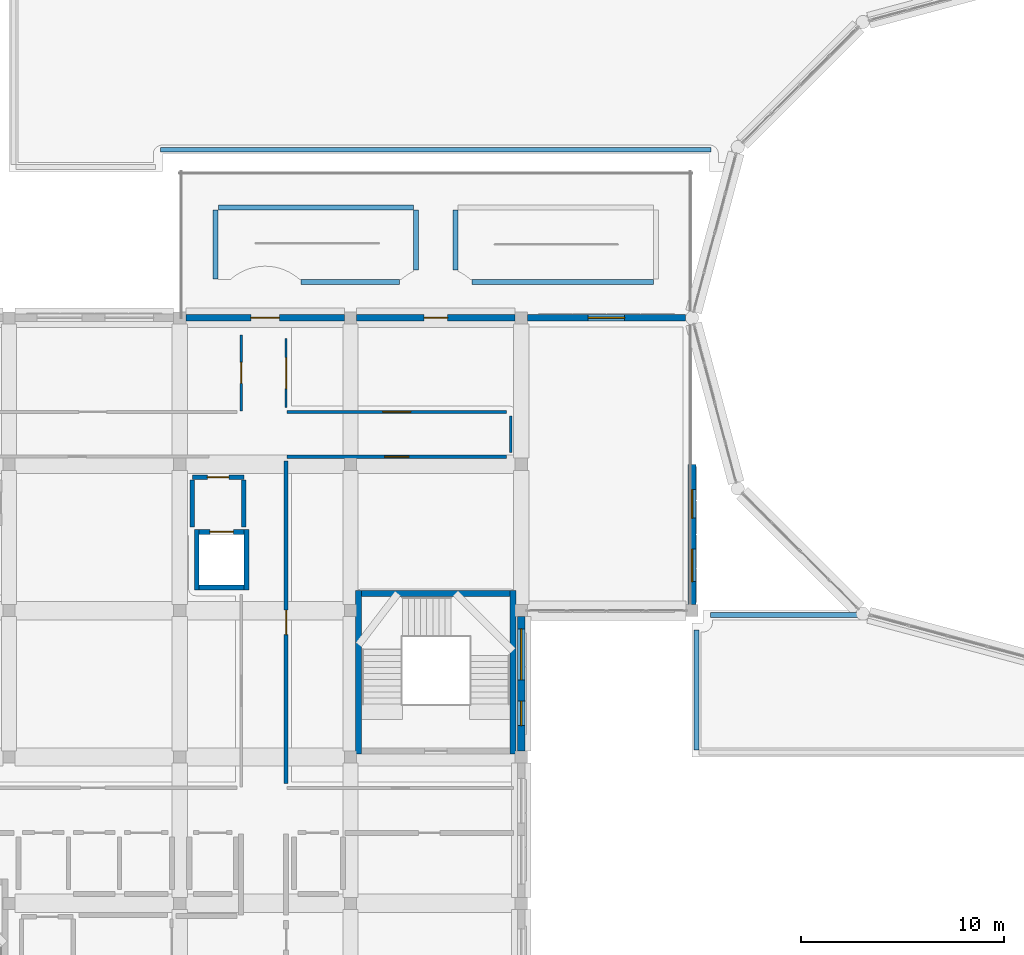
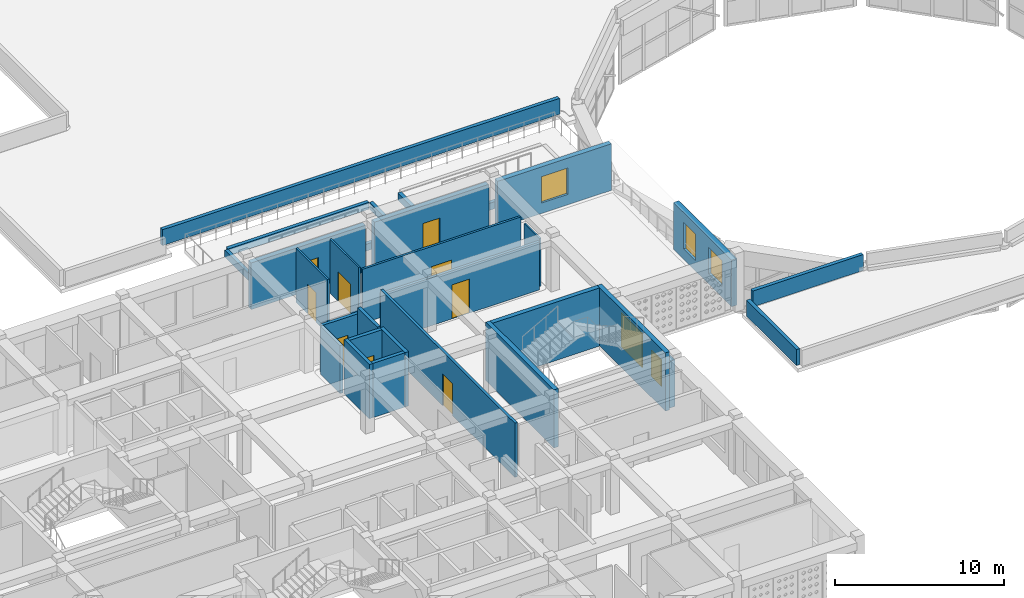
# One storey, part 32 of 48: 30 walls, 9 doors, 5 windows, 14 openings.
"""IFC4 building model written with IfcOpenShell, lengths in metres."""

from ifc_helpers import new_model, si_unit, derived_unit, direction, frame, frame_2d, origin, place, context, subcontext, project, spatial, rectangle, extrude, material, layer, layer_set, type_object, element, fill, save


model = new_model("IFC4")

# Units and contexts
model_context = context("Model", 3, precision=1e-05, world=origin(), true_north=direction((0.0, 1.0)))
body_context = subcontext(model_context, "Body", "Model", "MODEL_VIEW")
ifc_project = project(units=[si_unit("LENGTHUNIT", "METRE"), si_unit("AREAUNIT", "SQUARE_METRE"), si_unit("VOLUMEUNIT", "CUBIC_METRE"), si_unit("PLANEANGLEUNIT", "RADIAN"), si_unit("MASSUNIT", "GRAM", prefix="KILO"), derived_unit("THERMALTRANSMITTANCEUNIT", [(si_unit("POWERUNIT", "WATT"), 1), (si_unit("LENGTHUNIT", "METRE"), -2), (si_unit("THERMODYNAMICTEMPERATUREUNIT", "KELVIN"), -1)])], contexts=[model_context])

# Site, building, storey
site_placement = place(None, origin())
site = spatial("IfcSite", under=ifc_project, at=site_placement, CompositionType="ELEMENT")
building_placement = place(site_placement, origin())
building = spatial("IfcBuilding", under=site, at=building_placement, Name="Veybourne Emporium", CompositionType="ELEMENT")
storey_placement = place(building_placement, frame((0.0, 0.0, 27.89990234375)))
storey = spatial("IfcBuildingStorey", under=building, at=storey_placement, Name="L06", CompositionType="ELEMENT", Elevation=27.89990234375)

# Wall, openings, windows
ifc_material_1 = material(Name="Portland Limestone Ashlar", Category="masonry")
ifc_layer_1 = layer(ifc_material_1, 0.3798828125)
ifc_layer_set_1 = layer_set([ifc_layer_1], Name="Portland Limestone Ashlar")
wall_type_1 = type_object("IfcWallType", Name="ExtWall_EW-03", PredefinedType="SOLIDWALL", material=ifc_layer_set_1)
wall_1_placement = place(storey_placement, frame((50.39990234375, 35.699951171875, 0.0), z_axis=(0.0, 0.0, 1.0), x_axis=(0.0, -1.0, 0.0)))
wall_1 = element("IfcWall", 1, at=wall_1_placement, inside=storey, type_object=wall_type_1, Name="L06 Portland stone external wall 021", PredefinedType="SOLIDWALL", context=body_context, shape_type="SweptSolid", body=[
    extrude(rectangle(XDim=6.599853515625, YDim=0.3798828125, at=frame_2d((3.2998046875, 0.0))), origin(), (0.0, 0.0, 1.0), 3.360107421875),
])
opening_1_placement = place(wall_1_placement, frame((0.593017578125, 0.0, 0.75)))
opening_1 = element("IfcOpeningElement", 2, at=opening_1_placement, cuts=wall_1, Name="Opening W-56", PredefinedType="OPENING", context=body_context, shape_type="SweptSolid", body=[
    extrude(rectangle(XDim=2.510009765625, YDim=2.4599609375, at=frame_2d((1.2548828125, 1.22998046875))), frame((0.0, 0.2099609375, 0.0), z_axis=(0.0, -1.0, 0.0), x_axis=(1.0, 0.0, 0.0)), (0.0, 0.0, 1.0), 0.419921875),
])
opening_2_placement = place(wall_1_placement, frame((4.152099609375, 0.0, 0.75)))
opening_2 = element("IfcOpeningElement", 3, at=opening_2_placement, cuts=wall_1, Name="Opening W-01", PredefinedType="OPENING", context=body_context, shape_type="SweptSolid", body=[
    extrude(rectangle(XDim=1.199951171875, YDim=1.89990234375, at=frame_2d((0.60009765625, 0.949951171875))), frame((0.0, 0.2099609375, 0.0), z_axis=(0.0, -1.0, 0.0), x_axis=(1.0, 0.0, 0.0)), (0.0, 0.0, 1.0), 0.419921875),
])
ifc_material_2 = material(Name="Low-E Triple Glazing", Category="glass")
window_type_1 = type_object("IfcWindowType", Name="Win_W-01", PartitioningType="SINGLE_PANEL", PredefinedType="WINDOW", material=ifc_material_2)
window_1_placement = place(opening_2_placement, origin())
window_1 = element("IfcWindow", 4, at=window_1_placement, inside=storey, type_object=window_type_1, Name="L06 tripartite bronze casement window W-01 (21.2)", OverallHeight=1.89990234375, OverallWidth=1.199951171875, PartitioningType="SINGLE_PANEL", PredefinedType="WINDOW", context=body_context, shape_type="SweptSolid", body=[
    extrude(rectangle(XDim=1.199951171875, YDim=1.89990234375, at=frame_2d((0.60009765625, 0.949951171875))), frame((0.0, 0.030029296875, 0.0), z_axis=(0.0, -1.0, 0.0), x_axis=(1.0, 0.0, 0.0)), (0.0, 0.0, 1.0), 0.06005859375),
])
fill(opening_2, window_1)
window_type_2 = type_object("IfcWindowType", Name="Win_W-56", PartitioningType="TRIPLE_PANEL_VERTICAL", PredefinedType="WINDOW", material=ifc_material_2)
window_2_placement = place(opening_1_placement, origin())
window_2 = element("IfcWindow", 5, at=window_2_placement, inside=storey, type_object=window_type_2, Name="L06 tripartite bronze casement window W-56 (21.1)", OverallHeight=2.4599609375, OverallWidth=2.510009765625, PartitioningType="TRIPLE_PANEL_VERTICAL", PredefinedType="WINDOW", context=body_context, shape_type="SweptSolid", body=[
    extrude(rectangle(XDim=2.510009765625, YDim=2.4599609375, at=frame_2d((1.2548828125, 1.22998046875))), frame((0.0, 0.030029296875, 0.0), z_axis=(0.0, -1.0, 0.0), x_axis=(1.0, 0.0, 0.0)), (0.0, 0.0, 1.0), 0.06005859375),
])
fill(opening_1, window_2)

wall_2_placement = place(storey_placement, frame((58.800048828125, 43.179931640625, 0.0), z_axis=(0.0, 0.0, 1.0), x_axis=(0.0, -1.0, 0.0)))
wall_2 = element("IfcWall", 6, at=wall_2_placement, inside=storey, type_object=wall_type_1, Name="L06 Portland stone external wall 024", PredefinedType="SOLIDWALL", context=body_context, shape_type="SweptSolid", body=[
    extrude(rectangle(XDim=6.8798828125, YDim=0.3798828125, at=frame_2d((3.43994140625, 0.0))), origin(), (0.0, 0.0, 1.0), 3.360107421875),
])
opening_3_placement = place(wall_2_placement, frame((1.226318359375, 0.0, 0.75)))
opening_3 = element("IfcOpeningElement", 7, at=opening_3_placement, cuts=wall_2, Name="Opening W-02", PredefinedType="OPENING", context=body_context, shape_type="SweptSolid", body=[
    extrude(rectangle(XDim=1.39990234375, YDim=1.89990234375, at=frame_2d((0.699951171875, 0.949951171875))), frame((0.0, 0.2099609375, 0.0), z_axis=(0.0, -1.0, 0.0), x_axis=(1.0, 0.0, 0.0)), (0.0, 0.0, 1.0), 0.419921875),
])
opening_4_placement = place(wall_2_placement, frame((4.153564453125, 0.0, 0.75)))
opening_4 = element("IfcOpeningElement", 8, at=opening_4_placement, cuts=wall_2, Name="Opening W-03", PredefinedType="OPENING", context=body_context, shape_type="SweptSolid", body=[
    extrude(rectangle(XDim=1.60009765625, YDim=1.89990234375, at=frame_2d((0.800048828125, 0.949951171875))), frame((0.0, 0.2099609375, 0.0), z_axis=(0.0, -1.0, 0.0), x_axis=(1.0, 0.0, 0.0)), (0.0, 0.0, 1.0), 0.419921875),
])
window_type_3 = type_object("IfcWindowType", Name="Win_W-02", PartitioningType="DOUBLE_PANEL_VERTICAL", PredefinedType="WINDOW", material=ifc_material_2)
window_3_placement = place(opening_3_placement, origin())
window_3 = element("IfcWindow", 9, at=window_3_placement, inside=storey, type_object=window_type_3, Name="L06 tripartite bronze casement window W-02 (24.1)", OverallHeight=1.89990234375, OverallWidth=1.39990234375, PartitioningType="DOUBLE_PANEL_VERTICAL", PredefinedType="WINDOW", context=body_context, shape_type="SweptSolid", body=[
    extrude(rectangle(XDim=1.39990234375, YDim=1.89990234375, at=frame_2d((0.699951171875, 0.949951171875))), frame((0.0, 0.030029296875, 0.0), z_axis=(0.0, -1.0, 0.0), x_axis=(1.0, 0.0, 0.0)), (0.0, 0.0, 1.0), 0.06005859375),
])
fill(opening_3, window_3)
window_type_4 = type_object("IfcWindowType", Name="Win_W-03", PartitioningType="DOUBLE_PANEL_VERTICAL", PredefinedType="WINDOW", material=ifc_material_2)
window_4_placement = place(opening_4_placement, origin())
window_4 = element("IfcWindow", 10, at=window_4_placement, inside=storey, type_object=window_type_4, Name="L06 tripartite bronze casement window W-03 (24.2)", OverallHeight=1.89990234375, OverallWidth=1.60009765625, PartitioningType="DOUBLE_PANEL_VERTICAL", PredefinedType="WINDOW", context=body_context, shape_type="SweptSolid", body=[
    extrude(rectangle(XDim=1.60009765625, YDim=1.89990234375, at=frame_2d((0.800048828125, 0.949951171875))), frame((0.0, 0.030029296875, 0.0), z_axis=(0.0, -1.0, 0.0), x_axis=(1.0, 0.0, 0.0)), (0.0, 0.0, 1.0), 0.06005859375),
])
fill(opening_4, window_4)

# Wall, opening, door
ifc_layer_2 = layer(ifc_material_1, 0.330078125)
ifc_layer_set_2 = layer_set([ifc_layer_2], Name="Portland Limestone Ashlar")
wall_type_2 = type_object("IfcWallType", Name="ExtWall_EW-04", PredefinedType="SOLIDWALL", material=ifc_layer_set_2)
wall_3_placement = place(storey_placement, frame((33.89990234375, 50.39990234375, 0.0), z_axis=(0.0, 0.0, 1.0), x_axis=(1.0, 0.0, 0.0)))
wall_3 = element("IfcWall", 11, at=wall_3_placement, inside=storey, type_object=wall_type_2, Name="L06 terrace facade wall 016", PredefinedType="SOLIDWALL", context=body_context, shape_type="SweptSolid", body=[
    extrude(rectangle(XDim=7.800048828125, YDim=0.330078125, at=frame_2d((3.89990234375, 0.0))), origin(), (0.0, 0.0, 1.0), 3.360107421875),
])
opening_5_placement = place(wall_3_placement, frame((3.199951171875, 0.0, 0.0)))
opening_5 = element("IfcOpeningElement", 12, at=opening_5_placement, cuts=wall_3, Name="Opening TD-03", PredefinedType="OPENING", context=body_context, shape_type="SweptSolid", body=[
    extrude(rectangle(XDim=1.39990234375, YDim=2.14990234375, at=frame_2d((0.699951171875, 1.074951171875))), frame((0.0, 0.18505859375, 0.0), z_axis=(0.0, -1.0, 0.0), x_axis=(1.0, 0.0, 0.0)), (0.0, 0.0, 1.0), 0.3701171875),
])
ifc_material_3 = material(Name="Patinated Architectural Bronze", Category="bronze")
door_type_1 = type_object("IfcDoorType", Name="TerrDoor_TD-03", OperationType="NOTDEFINED", PredefinedType="DOOR", material=ifc_material_3)
door_1_placement = place(opening_5_placement, origin())
door_1 = element("IfcDoor", 13, at=door_1_placement, inside=storey, type_object=door_type_1, Name="L06 roof-garden terrace door 03", OperationType="SINGLE_SWING_RIGHT", OverallHeight=2.14990234375, OverallWidth=1.39990234375, PredefinedType="DOOR", context=body_context, shape_type="SweptSolid", body=[
    extrude(rectangle(XDim=1.39990234375, YDim=2.14990234375, at=frame_2d((0.699951171875, 1.074951171875))), frame((0.0, 0.02490234375, 0.0), z_axis=(0.0, -1.0, 0.0), x_axis=(1.0, 0.0, 0.0)), (0.0, 0.0, 1.0), 0.050048828125),
])
fill(opening_5, door_1)

wall_4_placement = place(storey_placement, frame((42.300048828125, 50.39990234375, 0.0), z_axis=(0.0, 0.0, 1.0), x_axis=(1.0, 0.0, 0.0)))
wall_4 = element("IfcWall", 14, at=wall_4_placement, inside=storey, type_object=wall_type_2, Name="L06 terrace facade wall 022", PredefinedType="SOLIDWALL", context=body_context, shape_type="SweptSolid", body=[
    extrude(rectangle(XDim=7.800048828125, YDim=0.330078125, at=frame_2d((3.89990234375, 0.0))), origin(), (0.0, 0.0, 1.0), 3.360107421875),
])
opening_6_placement = place(wall_4_placement, frame((3.324951171875, 0.0, 0.0)))
opening_6 = element("IfcOpeningElement", 15, at=opening_6_placement, cuts=wall_4, Name="Opening TD-04", PredefinedType="OPENING", context=body_context, shape_type="SweptSolid", body=[
    extrude(rectangle(XDim=1.14990234375, YDim=2.10009765625, at=frame_2d((0.574951171875, 1.050048828125))), frame((0.0, 0.18505859375, 0.0), z_axis=(0.0, -1.0, 0.0), x_axis=(1.0, 0.0, 0.0)), (0.0, 0.0, 1.0), 0.3701171875),
])
door_type_2 = type_object("IfcDoorType", Name="TerrDoor_TD-04", OperationType="NOTDEFINED", PredefinedType="DOOR", material=ifc_material_3)
door_2_placement = place(opening_6_placement, origin())
door_2 = element("IfcDoor", 16, at=door_2_placement, inside=storey, type_object=door_type_2, Name="L06 roof-garden terrace door 04", OperationType="SINGLE_SWING_LEFT", OverallHeight=2.10009765625, OverallWidth=1.14990234375, PredefinedType="DOOR", context=body_context, shape_type="SweptSolid", body=[
    extrude(rectangle(XDim=1.14990234375, YDim=2.10009765625, at=frame_2d((0.574951171875, 1.050048828125))), frame((0.0, 0.02490234375, 0.0), z_axis=(0.0, -1.0, 0.0), x_axis=(1.0, 0.0, 0.0)), (0.0, 0.0, 1.0), 0.050048828125),
])
fill(opening_6, door_2)

# Wall, opening, window
wall_5_placement = place(storey_placement, frame((50.699951171875, 50.39990234375, 0.0), z_axis=(0.0, 0.0, 1.0), x_axis=(1.0, 0.0, 0.0)))
wall_5 = element("IfcWall", 17, at=wall_5_placement, inside=storey, type_object=wall_type_2, Name="L06 terrace facade wall 026", PredefinedType="SOLIDWALL", context=body_context, shape_type="SweptSolid", body=[
    extrude(rectangle(XDim=7.775146484375, YDim=0.330078125, at=frame_2d((3.8876953125, 0.0))), origin(), (0.0, 0.0, 1.0), 3.360107421875),
])
opening_7_placement = place(wall_5_placement, frame((2.987548828125, 0.0, 0.75)))
opening_7 = element("IfcOpeningElement", 18, at=opening_7_placement, cuts=wall_5, Name="Opening W-04", PredefinedType="OPENING", context=body_context, shape_type="SweptSolid", body=[
    extrude(rectangle(XDim=1.800048828125, YDim=1.89990234375, at=frame_2d((0.89990234375, 0.949951171875))), frame((0.0, 0.18505859375, 0.0), z_axis=(0.0, -1.0, 0.0), x_axis=(1.0, 0.0, 0.0)), (0.0, 0.0, 1.0), 0.3701171875),
])
window_type_5 = type_object("IfcWindowType", Name="Win_W-04", PartitioningType="DOUBLE_PANEL_VERTICAL", PredefinedType="WINDOW", material=ifc_material_2)
window_5_placement = place(opening_7_placement, origin())
window_5 = element("IfcWindow", 19, at=window_5_placement, inside=storey, type_object=window_type_5, Name="L06 terrace window 026", OverallHeight=1.89990234375, OverallWidth=1.800048828125, PartitioningType="DOUBLE_PANEL_VERTICAL", PredefinedType="WINDOW", context=body_context, shape_type="SweptSolid", body=[
    extrude(rectangle(XDim=1.800048828125, YDim=1.89990234375, at=frame_2d((0.89990234375, 0.949951171875))), frame((0.0, 0.030029296875, 0.0), z_axis=(0.0, -1.0, 0.0), x_axis=(1.0, 0.0, 0.0)), (0.0, 0.0, 1.0), 0.06005859375),
])
fill(opening_7, window_5)

# Walls
ifc_material_4 = material(Name="Precast concrete C40/50", Category="concrete")
ifc_layer_3 = layer(ifc_material_4, 0.239990234375)
ifc_layer_set_3 = layer_set([ifc_layer_3], Name="Precast concrete C40/50")
wall_type_3 = type_object("IfcWallType", Name="ExtWall_PW-02", PredefinedType="PARAPET", material=ifc_layer_set_3)
wall_6_placement = place(storey_placement, frame((47.169921875, 52.746337890625, 0.0), z_axis=(0.0, 0.0, 1.0), x_axis=(0.0, 1.0, 0.0)))
element("IfcWall", 20, at=wall_6_placement, inside=storey, type_object=wall_type_3, Name="L06 planted roof-garden kerb 001", PredefinedType="PARAPET", context=body_context, shape_type="SweptSolid", body=[
    extrude(rectangle(XDim=2.95361328125, YDim=0.239990234375, at=frame_2d((1.476806640625, 0.0))), origin(), (0.0, 0.0, 1.0), 0.5),
])
wall_7_placement = place(storey_placement, frame((56.89990234375, 52.169921875, 0.0), z_axis=(0.0, 0.0, 1.0), x_axis=(-1.0, 0.0, 0.0)))
element("IfcWall", 21, at=wall_7_placement, inside=storey, type_object=wall_type_3, Name="L06 planted roof-garden kerb 004", PredefinedType="PARAPET", context=body_context, shape_type="SweptSolid", body=[
    extrude(rectangle(XDim=8.921875, YDim=0.239990234375, at=frame_2d((4.4609375, 0.0))), origin(), (0.0, 0.0, 1.0), 0.5),
])
wall_8_placement = place(storey_placement, frame((35.3701171875, 52.300048828125, 0.0), z_axis=(0.0, 0.0, 1.0), x_axis=(0.0, 1.0, 0.0)))
element("IfcWall", 22, at=wall_8_placement, inside=storey, type_object=wall_type_3, Name="L06 planted roof-garden kerb 005", PredefinedType="PARAPET", context=body_context, shape_type="SweptSolid", body=[
    extrude(rectangle(XDim=3.39990234375, YDim=0.239990234375, at=frame_2d((1.699951171875, 0.0))), origin(), (0.0, 0.0, 1.0), 0.5),
])
wall_9_placement = place(storey_placement, frame((35.5, 55.830078125, 0.0), z_axis=(0.0, 0.0, 1.0), x_axis=(1.0, 0.0, 0.0)))
element("IfcWall", 23, at=wall_9_placement, inside=storey, type_object=wall_type_3, Name="L06 planted roof-garden kerb 006", PredefinedType="PARAPET", context=body_context, shape_type="SweptSolid", body=[
    extrude(rectangle(XDim=9.60009765625, YDim=0.239990234375, at=frame_2d((4.800048828125, 0.0))), origin(), (0.0, 0.0, 1.0), 0.5),
])
wall_10_placement = place(storey_placement, frame((45.22998046875, 55.699951171875, 0.0), z_axis=(0.0, 0.0, 1.0), x_axis=(0.0, -1.0, 0.0)))
element("IfcWall", 24, at=wall_10_placement, inside=storey, type_object=wall_type_3, Name="L06 planted roof-garden kerb 007", PredefinedType="PARAPET", context=body_context, shape_type="SweptSolid", body=[
    extrude(rectangle(XDim=2.95361328125, YDim=0.239990234375, at=frame_2d((1.476806640625, 0.0))), origin(), (0.0, 0.0, 1.0), 0.5),
])
wall_11_placement = place(storey_placement, frame((44.421875, 52.169921875, 0.0), z_axis=(0.0, 0.0, 1.0), x_axis=(-1.0, 0.0, 0.0)))
element("IfcWall", 25, at=wall_11_placement, inside=storey, type_object=wall_type_3, Name="L06 planted roof-garden kerb 008", PredefinedType="PARAPET", context=body_context, shape_type="SweptSolid", body=[
    extrude(rectangle(XDim=4.84375, YDim=0.239990234375, at=frame_2d((2.421875, 0.0))), origin(), (0.0, 0.0, 1.0), 0.5),
])
wall_12_placement = place(storey_placement, frame((59.739990234375, 58.669921875, 0.0), z_axis=(0.0, 0.0, 1.0), x_axis=(-1.0, 0.0, 0.0)))
element("IfcWall", 26, at=wall_12_placement, inside=storey, type_object=wall_type_3, Name="L06 roof parapet wall 012", PredefinedType="PARAPET", context=body_context, shape_type="SweptSolid", body=[
    extrude(rectangle(XDim=27.080078125, YDim=0.239990234375, at=frame_2d((13.5400390625, 0.0))), origin(), (0.0, 0.0, 1.0), 1.150146484375),
])
wall_13_placement = place(storey_placement, frame((59.02001953125, 29.14990234375, 0.0), z_axis=(0.0, 0.0, 1.0), x_axis=(0.0, 1.0, 0.0)))
element("IfcWall", 27, at=wall_13_placement, inside=storey, type_object=wall_type_3, Name="L06 roof parapet wall 022", PredefinedType="PARAPET", context=body_context, shape_type="SweptSolid", body=[
    extrude(rectangle(XDim=5.900146484375, YDim=0.239990234375, at=frame_2d((2.9501953125, 0.0))), origin(), (0.0, 0.0, 1.0), 1.150146484375),
])
wall_14_placement = place(storey_placement, frame((59.699951171875, 35.780029296875, 0.0), z_axis=(0.0, 0.0, 1.0), x_axis=(1.0, 0.0, 0.0)))
element("IfcWall", 28, at=wall_14_placement, inside=storey, type_object=wall_type_3, Name="L06 roof parapet wall 023", PredefinedType="PARAPET", context=body_context, shape_type="SweptSolid", body=[
    extrude(rectangle(XDim=7.530517578125, YDim=0.239990234375, at=frame_2d((3.76513671875, 0.0))), origin(), (0.0, 0.0, 1.0), 1.150146484375),
])
ifc_material_5 = material(Name="Concrete C40/50", Category="concrete")
ifc_layer_4 = layer(ifc_material_5, 0.300048828125)
ifc_layer_set_4 = layer_set([ifc_layer_4], Name="Concrete C40/50")
wall_type_4 = type_object("IfcWallType", Name="IntWall_CW-03", PredefinedType="SHEAR", material=ifc_layer_set_4)
wall_15_placement = place(storey_placement, frame((42.550048828125, 36.85009765625, 0.0), z_axis=(0.0, 0.0, 1.0), x_axis=(1.0, 0.0, 0.0)))
element("IfcWall", 29, at=wall_15_placement, inside=storey, type_object=wall_type_4, Name="Core stair ST-05 north shear wall (L06)", PredefinedType="SHEAR", context=body_context, shape_type="SweptSolid", body=[
    extrude(rectangle(XDim=7.300048828125, YDim=0.300048828125, at=frame_2d((3.64990234375, 0.0))), origin(), (0.0, 0.0, 1.0), 4.2001953125),
])
for number, where, z_axis, x_axis, name in (
    (30, (42.39990234375, 37.0, 0.0), (0.0, 0.0, 1.0), (0.0, -1.0, 0.0), "Core stair ST-05 west shear wall (L06)"),
    (31, (50.0, 28.949951171875, 0.0), (0.0, 0.0, 1.0), (0.0, 1.0, 0.0), "Core stair ST-05 east shear wall (L06)"),
):
    element("IfcWall", number, at=place(storey_placement, frame(where, z_axis=z_axis, x_axis=x_axis)), inside=storey, type_object=wall_type_4, Name=name, PredefinedType="SHEAR", context=body_context, shape_type="SweptSolid", body=[
        extrude(rectangle(XDim=8.050048828125, YDim=0.300048828125, at=frame_2d((4.02490234375, 0.0))), origin(), (0.0, 0.0, 1.0), 4.2001953125),
    ])

# Wall, opening, door
ifc_layer_5 = layer(ifc_material_5, 0.239990234375)
ifc_layer_set_5 = layer_set([ifc_layer_5], Name="Concrete C40/50")
wall_type_5 = type_object("IfcWallType", Name="IntWall_CW-04", PredefinedType="SHEAR", material=ifc_layer_set_5)
wall_16_placement = place(storey_placement, frame((36.760009765625, 39.8701171875, 0.0), z_axis=(0.0, 0.0, 1.0), x_axis=(-1.0, 0.0, 0.0)))
wall_16 = element("IfcWall", 32, at=wall_16_placement, inside=storey, type_object=wall_type_5, Name="Lift core C3 north shaft wall (L06)", PredefinedType="SHEAR", context=body_context, shape_type="SweptSolid", body=[
    extrude(rectangle(XDim=2.199951171875, YDim=0.239990234375, at=frame_2d((1.10009765625, 0.0))), origin(), (0.0, 0.0, 1.0), 3.91015625),
])
opening_8_placement = place(wall_16_placement, frame((0.52490234375, 0.0, 0.0)))
opening_8 = element("IfcOpeningElement", 33, at=opening_8_placement, cuts=wall_16, Name="Opening LD-02", PredefinedType="OPENING", context=body_context, shape_type="SweptSolid", body=[
    extrude(rectangle(XDim=1.14990234375, YDim=2.25, at=frame_2d((0.574951171875, 1.125))), frame((0.0, 0.14013671875, 0.0), z_axis=(0.0, -1.0, 0.0), x_axis=(1.0, 0.0, 0.0)), (0.0, 0.0, 1.0), 0.280029296875),
])
door_type_3 = type_object("IfcDoorType", Name="FireDoor_LD-02", OperationType="SLIDING_TO_LEFT", PredefinedType="DOOR", material=ifc_material_3)
door_3_placement = place(opening_8_placement, origin())
door_3 = element("IfcDoor", 34, at=door_3_placement, inside=storey, type_object=door_type_3, Name="Lift FFL-03 sliding landing door (L06)", OperationType="SLIDING_TO_LEFT", OverallHeight=2.25, OverallWidth=1.14990234375, PredefinedType="DOOR", context=body_context, shape_type="SweptSolid", body=[
    extrude(rectangle(XDim=1.14990234375, YDim=2.25, at=frame_2d((0.574951171875, 1.125))), frame((0.0, 0.02490234375, 0.0), z_axis=(0.0, -1.0, 0.0), x_axis=(1.0, 0.0, 0.0)), (0.0, 0.0, 1.0), 0.050048828125),
])
fill(opening_8, door_3)

# Walls
wall_17_placement = place(storey_placement, frame((34.56005859375, 37.1298828125, 0.0), z_axis=(0.0, 0.0, 1.0), x_axis=(1.0, 0.0, 0.0)))
element("IfcWall", 35, at=wall_17_placement, inside=storey, type_object=wall_type_5, Name="Lift core C3 south shaft wall (L06)", PredefinedType="SHEAR", context=body_context, shape_type="SweptSolid", body=[
    extrude(rectangle(XDim=2.199951171875, YDim=0.239990234375, at=frame_2d((1.10009765625, 0.0))), origin(), (0.0, 0.0, 1.0), 3.91015625),
])
for number, where, z_axis, x_axis, name in (
    (36, (34.43994140625, 39.989990234375, 0.0), (0.0, 0.0, 1.0), (0.0, -1.0, 0.0), "Lift core C3 west shaft wall (L06)"),
    (37, (36.8798828125, 37.010009765625, 0.0), (0.0, 0.0, 1.0), (0.0, 1.0, 0.0), "Lift core C3 east shaft wall (L06)"),
):
    element("IfcWall", number, at=place(storey_placement, frame(where, z_axis=z_axis, x_axis=x_axis)), inside=storey, type_object=wall_type_5, Name=name, PredefinedType="SHEAR", context=body_context, shape_type="SweptSolid", body=[
        extrude(rectangle(XDim=2.97998046875, YDim=0.239990234375, at=frame_2d((1.489990234375, 0.0))), origin(), (0.0, 0.0, 1.0), 3.91015625),
    ])

# Wall, opening, door
ifc_material_6 = material(Name="Concrete C32/40", Category="concrete")
ifc_layer_6 = layer(ifc_material_6, 0.219970703125)
ifc_layer_set_6 = layer_set([ifc_layer_6], Name="Concrete C32/40")
wall_type_6 = type_object("IfcWallType", Name="IntWall_FW-02", PredefinedType="SOLIDWALL", material=ifc_layer_set_6)
wall_18_placement = place(storey_placement, frame((34.219970703125, 42.550048828125, 0.0), z_axis=(0.0, 0.0, 1.0), x_axis=(1.0, 0.0, 0.0)))
wall_18 = element("IfcWall", 38, at=wall_18_placement, inside=storey, type_object=wall_type_6, Name="Firefighting lobby C3 fire wall N (L06)", PredefinedType="SOLIDWALL", context=body_context, shape_type="SweptSolid", body=[
    extrude(rectangle(XDim=2.5400390625, YDim=0.219970703125, at=frame_2d((1.27001953125, 0.0))), origin(), (0.0, 0.0, 1.0), 3.460205078125),
])
opening_9_placement = place(wall_18_placement, frame((0.7451171875, 0.0, 0.0)))
opening_9 = element("IfcOpeningElement", 39, at=opening_9_placement, cuts=wall_18, Name="Opening FD-02", PredefinedType="OPENING", context=body_context, shape_type="SweptSolid", body=[
    extrude(rectangle(XDim=1.050048828125, YDim=2.14990234375, at=frame_2d((0.52490234375, 1.074951171875))), frame((0.0, 0.1298828125, 0.0), z_axis=(0.0, -1.0, 0.0), x_axis=(1.0, 0.0, 0.0)), (0.0, 0.0, 1.0), 0.260009765625),
])
door_type_4 = type_object("IfcDoorType", Name="FireDoor_FD-02", OperationType="NOTDEFINED", PredefinedType="DOOR", material=ifc_material_3)
door_4_placement = place(opening_9_placement, origin())
door_4 = element("IfcDoor", 40, at=door_4_placement, inside=storey, type_object=door_type_4, Name="Firefighting lobby C3 FD60S door N (L06)", OperationType="SINGLE_SWING_LEFT", OverallHeight=2.14990234375, OverallWidth=1.050048828125, PredefinedType="DOOR", context=body_context, shape_type="SweptSolid", body=[
    extrude(rectangle(XDim=1.050048828125, YDim=2.14990234375, at=frame_2d((0.52490234375, 1.074951171875))), frame((0.0, 0.02490234375, 0.0), z_axis=(0.0, -1.0, 0.0), x_axis=(1.0, 0.0, 0.0)), (0.0, 0.0, 1.0), 0.050048828125),
])
fill(opening_9, door_4)

# Walls
wall_19_placement = place(storey_placement, frame((34.219970703125, 40.110107421875, 0.0), z_axis=(0.0, 0.0, 1.0), x_axis=(0.0, 1.0, 0.0)))
element("IfcWall", 41, at=wall_19_placement, inside=storey, type_object=wall_type_6, Name="Firefighting lobby C3 fire wall W (L06)", PredefinedType="SOLIDWALL", context=body_context, shape_type="SweptSolid", body=[
    extrude(rectangle(XDim=2.31982421875, YDim=0.219970703125, at=frame_2d((1.159912109375, 0.0))), origin(), (0.0, 0.0, 1.0), 3.460205078125),
])
wall_20_placement = place(storey_placement, frame((36.760009765625, 40.110107421875, 0.0), z_axis=(0.0, 0.0, 1.0), x_axis=(0.0, 1.0, 0.0)))
element("IfcWall", 42, at=wall_20_placement, inside=storey, type_object=wall_type_6, Name="Firefighting lobby C3 fire wall E (L06)", PredefinedType="SOLIDWALL", context=body_context, shape_type="SweptSolid", body=[
    extrude(rectangle(XDim=2.31982421875, YDim=0.219970703125, at=frame_2d((1.159912109375, 0.0))), origin(), (0.0, 0.0, 1.0), 3.91015625),
])

# Wall, opening, door
ifc_material_7 = material(Name="Gypsum Acoustic Board", Category="gypsum")
ifc_layer_7 = layer(ifc_material_7, 0.179931640625)
ifc_layer_set_7 = layer_set([ifc_layer_7], Name="Gypsum Acoustic Board")
wall_type_7 = type_object("IfcWallType", Name="IntWall_IW-01", PredefinedType="PARTITIONING", material=ifc_layer_set_7)
wall_21_placement = place(storey_placement, frame((38.830078125, 27.489990234375, 0.0), z_axis=(0.0, 0.0, 1.0), x_axis=(0.0, 1.0, 0.0)))
wall_21 = element("IfcWall", 43, at=wall_21_placement, inside=storey, type_object=wall_type_7, Name="L06 interior partition IW-01 #005", PredefinedType="PARTITIONING", context=body_context, shape_type="SweptSolid", body=[
    extrude(rectangle(XDim=15.8701171875, YDim=0.179931640625, at=frame_2d((7.93505859375, 0.0))), origin(), (0.0, 0.0, 1.0), 3.91015625),
])
opening_10_placement = place(wall_21_placement, frame((7.3349609375, 0.0, 0.0)))
opening_10 = element("IfcOpeningElement", 44, at=opening_10_placement, cuts=wall_21, Name="Opening D-21", PredefinedType="OPENING", context=body_context, shape_type="SweptSolid", body=[
    extrude(rectangle(XDim=1.199951171875, YDim=2.2900390625, at=frame_2d((0.60009765625, 1.14501953125))), frame((0.0, 0.10986328125, 0.0), z_axis=(0.0, -1.0, 0.0), x_axis=(1.0, 0.0, 0.0)), (0.0, 0.0, 1.0), 0.219970703125),
])
ifc_material_8 = material(Name="European Oak Veneer and Bronze", Category="wood")
door_type_5 = type_object("IfcDoorType", Name="IntDoor_D-21", OperationType="NOTDEFINED", PredefinedType="DOOR", material=ifc_material_8)
door_5_placement = place(opening_10_placement, origin())
door_5 = element("IfcDoor", 45, at=door_5_placement, inside=storey, type_object=door_type_5, Name="L06 interior door D-21 (PART-L06-005)", OperationType="SINGLE_SWING_LEFT", OverallHeight=2.2900390625, OverallWidth=1.199951171875, PredefinedType="DOOR", context=body_context, shape_type="SweptSolid", body=[
    extrude(rectangle(XDim=1.199951171875, YDim=2.2900390625, at=frame_2d((0.60009765625, 1.14501953125))), frame((0.0, 0.02490234375, 0.0), z_axis=(0.0, -1.0, 0.0), x_axis=(1.0, 0.0, 0.0)), (0.0, 0.0, 1.0), 0.050048828125),
])
fill(opening_10, door_5)

wall_22_placement = place(storey_placement, frame((38.8798828125, 43.570068359375, 0.0), z_axis=(0.0, 0.0, 1.0), x_axis=(1.0, 0.0, 0.0)))
wall_22 = element("IfcWall", 46, at=wall_22_placement, inside=storey, type_object=wall_type_7, Name="L06 interior partition IW-01 #017", PredefinedType="PARTITIONING", context=body_context, shape_type="SweptSolid", body=[
    extrude(rectangle(XDim=10.7900390625, YDim=0.179931640625, at=frame_2d((5.39501953125, 0.0))), origin(), (0.0, 0.0, 1.0), 3.460205078125),
])
opening_11_placement = place(wall_22_placement, frame((4.794921875, 0.0, 0.0)))
opening_11 = element("IfcOpeningElement", 47, at=opening_11_placement, cuts=wall_22, Name="Opening D-33", PredefinedType="OPENING", context=body_context, shape_type="SweptSolid", body=[
    extrude(rectangle(XDim=1.199951171875, YDim=2.449951171875, at=frame_2d((0.60009765625, 1.22509765625))), frame((0.0, 0.10986328125, 0.0), z_axis=(0.0, -1.0, 0.0), x_axis=(1.0, 0.0, 0.0)), (0.0, 0.0, 1.0), 0.219970703125),
])
door_type_6 = type_object("IfcDoorType", Name="IntDoor_D-33", OperationType="NOTDEFINED", PredefinedType="DOOR", material=ifc_material_8)
door_6_placement = place(opening_11_placement, origin())
door_6 = element("IfcDoor", 48, at=door_6_placement, inside=storey, type_object=door_type_6, Name="L06 interior door D-33 (PART-L06-017)", OperationType="SINGLE_SWING_RIGHT", OverallHeight=2.449951171875, OverallWidth=1.199951171875, PredefinedType="DOOR", context=body_context, shape_type="SweptSolid", body=[
    extrude(rectangle(XDim=1.199951171875, YDim=2.449951171875, at=frame_2d((0.60009765625, 1.22509765625))), frame((0.0, 0.02490234375, 0.0), z_axis=(0.0, -1.0, 0.0), x_axis=(1.0, 0.0, 0.0)), (0.0, 0.0, 1.0), 0.050048828125),
])
fill(opening_11, door_6)

ifc_layer_8 = layer(ifc_material_7, 0.14990234375)
ifc_layer_set_8 = layer_set([ifc_layer_8], Name="Gypsum Acoustic Board")
wall_type_8 = type_object("IfcWallType", Name="IntWall_IW-02", PredefinedType="PARTITIONING", material=ifc_layer_set_8)
wall_23_placement = place(storey_placement, frame((38.8798828125, 45.780029296875, 0.0), z_axis=(0.0, 0.0, 1.0), x_axis=(1.0, 0.0, 0.0)))
wall_23 = element("IfcWall", 49, at=wall_23_placement, inside=storey, type_object=wall_type_8, Name="L06 interior partition IW-02 #018", PredefinedType="PARTITIONING", context=body_context, shape_type="SweptSolid", body=[
    extrude(rectangle(XDim=10.7900390625, YDim=0.14990234375, at=frame_2d((5.39501953125, 0.0))), origin(), (0.0, 0.0, 1.0), 3.91015625),
])
opening_12_placement = place(wall_23_placement, frame((4.715087890625, 0.0, 0.0)))
opening_12 = element("IfcOpeningElement", 50, at=opening_12_placement, cuts=wall_23, Name="Opening D-34", PredefinedType="OPENING", context=body_context, shape_type="SweptSolid", body=[
    extrude(rectangle(XDim=1.360107421875, YDim=2.449951171875, at=frame_2d((0.68017578125, 1.22509765625))), frame((0.0, 0.094970703125, 0.0), z_axis=(0.0, -1.0, 0.0), x_axis=(1.0, 0.0, 0.0)), (0.0, 0.0, 1.0), 0.18994140625),
])
door_type_7 = type_object("IfcDoorType", Name="IntDoor_D-34", OperationType="NOTDEFINED", PredefinedType="DOOR", material=ifc_material_8)
door_7_placement = place(opening_12_placement, origin())
door_7 = element("IfcDoor", 51, at=door_7_placement, inside=storey, type_object=door_type_7, Name="L06 interior door D-34 (PART-L06-018)", OperationType="SINGLE_SWING_LEFT", OverallHeight=2.449951171875, OverallWidth=1.360107421875, PredefinedType="DOOR", context=body_context, shape_type="SweptSolid", body=[
    extrude(rectangle(XDim=1.360107421875, YDim=2.449951171875, at=frame_2d((0.68017578125, 1.22509765625))), frame((0.0, 0.02490234375, 0.0), z_axis=(0.0, -1.0, 0.0), x_axis=(1.0, 0.0, 0.0)), (0.0, 0.0, 1.0), 0.050048828125),
])
fill(opening_12, door_7)

ifc_layer_9 = layer(ifc_material_7, 0.1201171875)
ifc_layer_set_9 = layer_set([ifc_layer_9], Name="Gypsum Acoustic Board")
wall_type_9 = type_object("IfcWallType", Name="IntWall_IW-03", PredefinedType="PARTITIONING", material=ifc_layer_set_9)
wall_24_placement = place(storey_placement, frame((36.6201171875, 45.830078125, 0.0), z_axis=(0.0, 0.0, 1.0), x_axis=(0.0, 1.0, 0.0)))
wall_24 = element("IfcWall", 52, at=wall_24_placement, inside=storey, type_object=wall_type_9, Name="L06 interior partition IW-03 #028", PredefinedType="PARTITIONING", context=body_context, shape_type="SweptSolid", body=[
    extrude(rectangle(XDim=3.729736328125, YDim=0.1201171875, at=frame_2d((1.86474609375, 0.0))), origin(), (0.0, 0.0, 1.0), 3.91015625),
])
opening_13_placement = place(wall_24_placement, frame((1.344970703125, 0.0, 0.0)))
opening_13 = element("IfcOpeningElement", 53, at=opening_13_placement, cuts=wall_24, Name="Opening D-08", PredefinedType="OPENING", context=body_context, shape_type="SweptSolid", body=[
    extrude(rectangle(XDim=1.0400390625, YDim=2.1298828125, at=frame_2d((0.52001953125, 1.06494140625))), frame((0.0, 0.080078125, 0.0), z_axis=(0.0, -1.0, 0.0), x_axis=(1.0, 0.0, 0.0)), (0.0, 0.0, 1.0), 0.16015625),
])
door_type_8 = type_object("IfcDoorType", Name="IntDoor_D-08", OperationType="NOTDEFINED", PredefinedType="DOOR", material=ifc_material_8)
door_8_placement = place(opening_13_placement, origin())
door_8 = element("IfcDoor", 54, at=door_8_placement, inside=storey, type_object=door_type_8, Name="L06 interior door D-08 (PART-L06-028)", OperationType="SINGLE_SWING_LEFT", OverallHeight=2.1298828125, OverallWidth=1.0400390625, PredefinedType="DOOR", context=body_context, shape_type="SweptSolid", body=[
    extrude(rectangle(XDim=1.0400390625, YDim=2.1298828125, at=frame_2d((0.52001953125, 1.06494140625))), frame((0.0, 0.02490234375, 0.0), z_axis=(0.0, -1.0, 0.0), x_axis=(1.0, 0.0, 0.0)), (0.0, 0.0, 1.0), 0.050048828125),
])
fill(opening_13, door_8)

wall_25_placement = place(storey_placement, frame((38.830078125, 45.989990234375, 0.0), z_axis=(0.0, 0.0, 1.0), x_axis=(0.0, 1.0, 0.0)))
wall_25 = element("IfcWall", 55, at=wall_25_placement, inside=storey, type_object=wall_type_9, Name="L06 interior partition IW-03 #031", PredefinedType="PARTITIONING", context=body_context, shape_type="SweptSolid", body=[
    extrude(rectangle(XDim=3.389892578125, YDim=0.1201171875, at=frame_2d((1.69482421875, 0.0))), origin(), (0.0, 0.0, 1.0), 3.91015625),
])
opening_14_placement = place(wall_25_placement, frame((0.934814453125, 0.0, 0.0)))
opening_14 = element("IfcOpeningElement", 56, at=opening_14_placement, cuts=wall_25, Name="Opening D-11", PredefinedType="OPENING", context=body_context, shape_type="SweptSolid", body=[
    extrude(rectangle(XDim=1.52001953125, YDim=2.1298828125, at=frame_2d((0.760009765625, 1.06494140625))), frame((0.0, 0.080078125, 0.0), z_axis=(0.0, -1.0, 0.0), x_axis=(1.0, 0.0, 0.0)), (0.0, 0.0, 1.0), 0.16015625),
])
door_type_9 = type_object("IfcDoorType", Name="IntDoor_D-11", OperationType="NOTDEFINED", PredefinedType="DOOR", material=ifc_material_8)
door_9_placement = place(opening_14_placement, origin())
door_9 = element("IfcDoor", 57, at=door_9_placement, inside=storey, type_object=door_type_9, Name="L06 interior door D-11 (PART-L06-031)", OperationType="SINGLE_SWING_RIGHT", OverallHeight=2.1298828125, OverallWidth=1.52001953125, PredefinedType="DOOR", context=body_context, shape_type="SweptSolid", body=[
    extrude(rectangle(XDim=1.52001953125, YDim=2.1298828125, at=frame_2d((0.760009765625, 1.06494140625))), frame((0.0, 0.02490234375, 0.0), z_axis=(0.0, -1.0, 0.0), x_axis=(1.0, 0.0, 0.0)), (0.0, 0.0, 1.0), 0.050048828125),
])
fill(opening_14, door_9)

# Wall
wall_26_placement = place(storey_placement, frame((49.8798828125, 43.780029296875, 0.0), z_axis=(0.0, 0.0, 1.0), x_axis=(0.0, 1.0, 0.0)))
element("IfcWall", 58, at=wall_26_placement, inside=storey, type_object=wall_type_9, Name="L06 interior partition IW-03 #052", PredefinedType="PARTITIONING", context=body_context, shape_type="SweptSolid", body=[
    extrude(rectangle(XDim=1.7900390625, YDim=0.1201171875, at=frame_2d((0.89501953125, 0.0))), origin(), (0.0, 0.0, 1.0), 3.460205078125),
])

save(model, "model.ifc")
